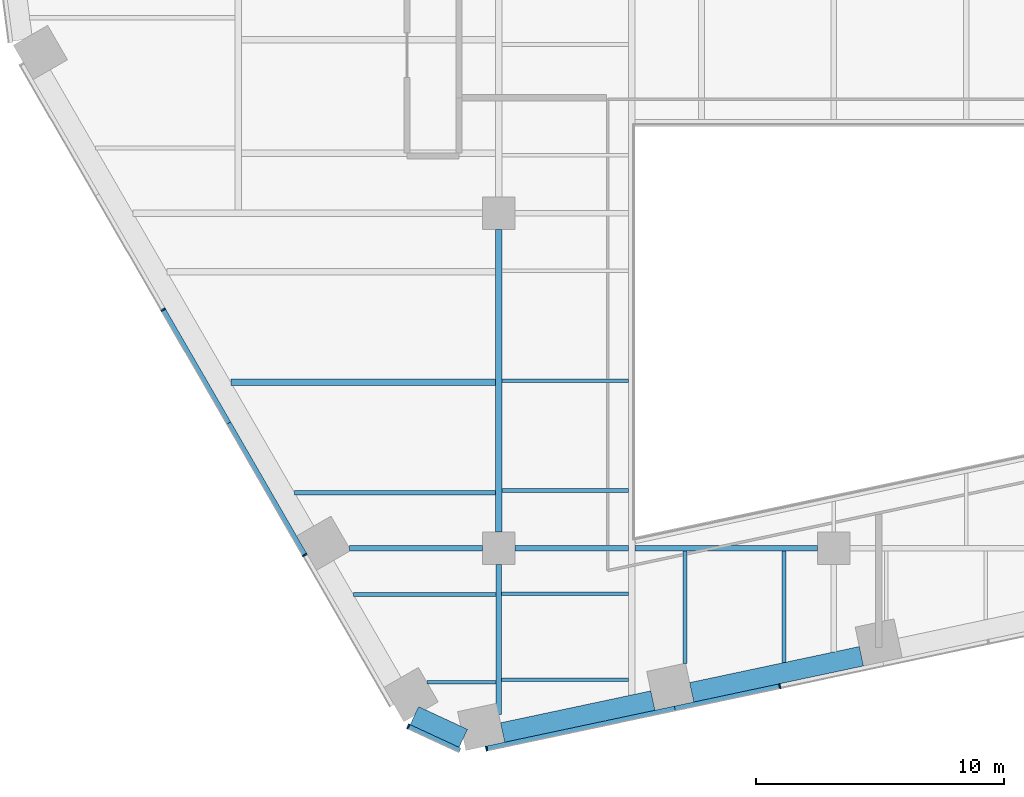
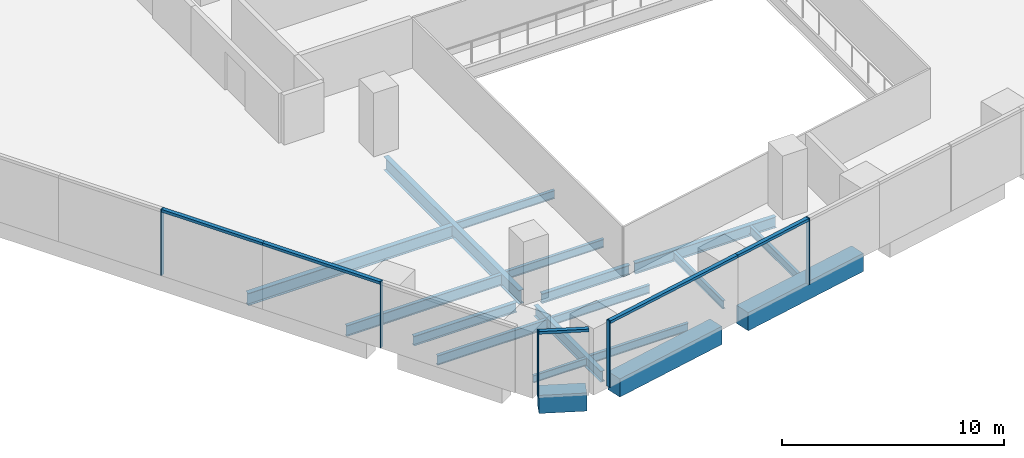
# One storey, part 2 of 19: 18 beams, 10 members, 3 elements without a shape of their own.
"""IFC4 building model written with IfcOpenShell, lengths in metres."""

from ifc_helpers import new_model, si_unit, direction, frame, origin, origin_2d, place, context, subcontext, project, spatial, rectangle, i_section, extrude, material, layer, layer_set, material_profile, profile_set, type_object, element, aggregate, save


model = new_model("IFC4")

# Units and contexts
model_context = context("Model", 3, precision=1e-05, world=origin(), true_north=direction((0.0, 1.0)))
body_context = subcontext(model_context, "Body", "Model", "MODEL_VIEW")
ifc_project = project(units=[si_unit("LENGTHUNIT", "METRE"), si_unit("AREAUNIT", "SQUARE_METRE"), si_unit("VOLUMEUNIT", "CUBIC_METRE"), si_unit("PLANEANGLEUNIT", "RADIAN"), si_unit("MASSUNIT", "GRAM", prefix="KILO")], contexts=[model_context])

# Site, building, storey
site_placement = place(None, origin())
site = spatial("IfcSite", under=ifc_project, at=site_placement, CompositionType="ELEMENT")
building_placement = place(site_placement, origin())
building = spatial("IfcBuilding", under=site, at=building_placement, Name="Isthmus Gate Tower", CompositionType="ELEMENT")
storey_placement = place(building_placement, frame((0.0, 0.0, 91.60009765625)))
storey = spatial("IfcBuildingStorey", under=building, at=storey_placement, Name="L21", CompositionType="ELEMENT", Elevation=91.60009765625)

# Curtain wall, members
ifc_material_1 = material(Name="Aluminium, pale champagne anodised", Category="aluminium")
ifc_layer = layer(ifc_material_1, 0.199951171875)
ifc_layer_set = layer_set([ifc_layer], Name="CW-1 UNITISED CURTAIN WALL 200 DEEP")
curtain_wall_type = type_object("IfcCurtainWallType", Name="CW-1 UNITISED CURTAIN WALL 200 DEEP", PredefinedType="NOTDEFINED", material=ifc_layer_set)
curtain_wall_1_placement = place(storey_placement, origin())
curtain_wall_1 = element("IfcCurtainWall", 1, at=curtain_wall_1_placement, inside=storey, type_object=curtain_wall_type, Name="CW-1 SW L21", PredefinedType="NOTDEFINED")
ifc_material_2 = material(Name="Aluminium, pale champagne anodised", Category="aluminium")
ifc_material_profile_1 = material_profile(ifc_material_2, rectangle(XDim=0.06005859375, YDim=0.199951171875, at=origin_2d()), Name="60x200")
ifc_profile_set_1 = profile_set([ifc_material_profile_1], Name="Aluminium, pale champagne anodised")
member_type_1 = type_object("IfcMemberType", Name="CW-1 MULLION 60 X 200", PredefinedType="MULLION", material=ifc_profile_set_1)
member_1_placement = place(storey_placement, frame((-27.026611328125, -17.388427734375, 0.0), z_axis=(0.0, 0.0, 1.0), x_axis=(0.5, -0.866025403784, 0.0)))
member_1 = element("IfcMember", 2, at=member_1_placement, type_object=member_type_1, Name="CW-1 mullion", PredefinedType="MULLION", context=body_context, shape_type="SweptSolid", body=[
    extrude(rectangle(XDim=0.06005859375, YDim=0.199951171875, at=origin_2d()), origin(), (0.0, 0.0, 1.0), 3.64990234375),
])
member_2_placement = place(storey_placement, frame((-21.318115234375, -27.27587890625, 0.0), z_axis=(0.0, 0.0, 1.0), x_axis=(0.5, -0.866025403784, 0.0)))
member_2 = element("IfcMember", 3, at=member_2_placement, type_object=member_type_1, Name="CW-1 mullion", PredefinedType="MULLION", context=body_context, shape_type="SweptSolid", body=[
    extrude(rectangle(XDim=0.06005859375, YDim=0.199951171875, at=origin_2d()), origin(), (0.0, 0.0, 1.0), 3.64990234375),
])

# Curtain wall, member
curtain_wall_2_placement = place(storey_placement, origin())
curtain_wall_2 = element("IfcCurtainWall", 4, at=curtain_wall_2_placement, inside=storey, type_object=curtain_wall_type, Name="CW-1 SW-S L21", PredefinedType="NOTDEFINED")
member_3_placement = place(storey_placement, frame((-17.14794921875, -34.184814453125, 0.0), z_axis=(0.0, 0.0, 1.0), x_axis=(0.907256261367, -0.420578264073, 0.0)))
member_3 = element("IfcMember", 5, at=member_3_placement, type_object=member_type_1, Name="CW-1 mullion", PredefinedType="MULLION", context=body_context, shape_type="SweptSolid", body=[
    extrude(rectangle(XDim=0.06005859375, YDim=0.199951171875, at=origin_2d()), origin(), (0.0, 0.0, 1.0), 3.64990234375),
])

# Curtain wall, members
curtain_wall_3_placement = place(storey_placement, origin())
curtain_wall_3 = element("IfcCurtainWall", 6, at=curtain_wall_3_placement, inside=storey, type_object=curtain_wall_type, Name="CW-1 S L21", PredefinedType="NOTDEFINED")
member_4_placement = place(storey_placement, frame((-13.992919921875, -35.076416015625, 0.0), z_axis=(0.0, 0.0, 1.0), x_axis=(0.978147600734, 0.207911690818, 0.0)))
member_4 = element("IfcMember", 7, at=member_4_placement, type_object=member_type_1, Name="CW-1 mullion", PredefinedType="MULLION", context=body_context, shape_type="SweptSolid", body=[
    extrude(rectangle(XDim=0.06005859375, YDim=0.199951171875, at=origin_2d()), origin(), (0.0, 0.0, 1.0), 3.64990234375),
])
member_5_placement = place(storey_placement, frame((-2.1728515625, -32.564208984375, 0.0), z_axis=(0.0, 0.0, 1.0), x_axis=(0.978147600734, 0.207911690818, 0.0)))
member_5 = element("IfcMember", 8, at=member_5_placement, type_object=member_type_1, Name="CW-1 mullion", PredefinedType="MULLION", context=body_context, shape_type="SweptSolid", body=[
    extrude(rectangle(XDim=0.06005859375, YDim=0.199951171875, at=origin_2d()), origin(), (0.0, 0.0, 1.0), 3.64990234375),
])

# Member
ifc_material_3 = material(Name="Aluminium, pale champagne anodised", Category="aluminium")
ifc_material_profile_2 = material_profile(ifc_material_3, rectangle(XDim=0.199951171875, YDim=0.14990234375, at=origin_2d()), Name="200x150")
ifc_profile_set_2 = profile_set([ifc_material_profile_2], Name="Aluminium, pale champagne anodised")
member_type_2 = type_object("IfcMemberType", Name="CW-1 TRANSOM 200 X 150", PredefinedType="USERDEFINED", material=ifc_profile_set_2)
member_6_placement = place(storey_placement, frame((-27.01171875, -17.414306640625, 3.574951171875), z_axis=(0.499996256241, -0.866027565234, 0.0), x_axis=(0.866027565234, 0.499996256241, 0.0)))
member_6 = element("IfcMember", 9, at=member_6_placement, type_object=member_type_2, Name="CW-1 transom", ObjectType="TRANSOM", PredefinedType="USERDEFINED", context=body_context, shape_type="SweptSolid", body=[
    extrude(rectangle(XDim=0.199951171875, YDim=0.14990234375, at=origin_2d()), origin(), (0.0, 0.0, 1.0), 5.24853515625),
])

member_7_placement = place(storey_placement, frame((-24.387451171875, -21.959716796875, 3.574951171875), z_axis=(0.500011900272, -0.86601853305, 0.0), x_axis=(0.86601853305, 0.500011900272, 0.0)))
member_7 = element("IfcMember", 10, at=member_7_placement, type_object=member_type_2, Name="CW-1 transom", ObjectType="TRANSOM", PredefinedType="USERDEFINED", context=body_context, shape_type="SweptSolid", body=[
    extrude(rectangle(XDim=0.199951171875, YDim=0.14990234375, at=origin_2d()), origin(), (0.0, 0.0, 1.0), 6.108642578125),
])

aggregate(curtain_wall_1, [member_1, member_6, member_7, member_2])

member_8_placement = place(storey_placement, frame((-17.120849609375, -34.197509765625, 3.574951171875), z_axis=(0.907246225564, -0.420599912268, 0.0), x_axis=(0.420599912268, 0.907246225564, 0.0)))
member_8 = element("IfcMember", 11, at=member_8_placement, type_object=member_type_2, Name="CW-1 transom", ObjectType="TRANSOM", PredefinedType="USERDEFINED", context=body_context, shape_type="SweptSolid", body=[
    extrude(rectangle(XDim=0.199951171875, YDim=0.14990234375, at=origin_2d()), origin(), (0.0, 0.0, 1.0), 2.258544921875),
])

aggregate(curtain_wall_2, [member_3, member_8])

member_9_placement = place(storey_placement, frame((-13.963623046875, -35.0703125, 3.574951171875), z_axis=(0.97815050153, 0.207898043176, 0.0), x_axis=(-0.207898043176, 0.97815050153, 0.0)))
member_9 = element("IfcMember", 12, at=member_9_placement, type_object=member_type_2, Name="CW-1 transom", ObjectType="TRANSOM", PredefinedType="USERDEFINED", context=body_context, shape_type="SweptSolid", body=[
    extrude(rectangle(XDim=0.199951171875, YDim=0.14990234375, at=origin_2d()), origin(), (0.0, 0.0, 1.0), 7.7294921875),
])

member_10_placement = place(storey_placement, frame((-6.403076171875, -33.46337890625, 3.574951171875), z_axis=(0.97813890815, 0.207952582007, 0.0), x_axis=(-0.207952582007, 0.97813890815, 0.0)))
member_10 = element("IfcMember", 13, at=member_10_placement, type_object=member_type_2, Name="CW-1 transom", ObjectType="TRANSOM", PredefinedType="USERDEFINED", context=body_context, shape_type="SweptSolid", body=[
    extrude(rectangle(XDim=0.199951171875, YDim=0.14990234375, at=origin_2d()), origin(), (0.0, 0.0, 1.0), 4.294677734375),
])

aggregate(curtain_wall_3, [member_4, member_9, member_10, member_5])

# Beams
ifc_material_4 = material(Name="Concrete f'c 70 MPa", Category="concrete")
ifc_material_profile_3 = material_profile(ifc_material_4, rectangle(XDim=0.800048828125, YDim=1.0, at=origin_2d()), Name="RC 800X1000")
ifc_profile_set_3 = profile_set([ifc_material_profile_3], Name="Concrete f'c 70 MPa")
beam_type_1 = type_object("IfcBeamType", Name="RC SPANDREL 800 X 1000", PredefinedType="SPANDREL", material=ifc_profile_set_3)
beam_1_placement = place(storey_placement, frame((1.112060546875, -31.354736328125, -0.5), z_axis=(-0.978149173437, -0.207904291694, 0.0), x_axis=(0.207904291694, -0.978149173437, 0.0)))
element("IfcBeam", 14, at=beam_1_placement, inside=storey, type_object=beam_type_1, Name="str-spandrel-L21-12", PredefinedType="SPANDREL", context=body_context, shape_type="SweptSolid", body=[
    extrude(rectangle(XDim=0.800048828125, YDim=1.0, at=origin_2d()), origin(), (0.0, 0.0, 1.0), 6.989501953125),
])
beam_2_placement = place(storey_placement, frame((-7.28955078125, -33.140625, -0.5), z_axis=(-0.978155442329, -0.207874795591, 0.0), x_axis=(0.207874795591, -0.978155442329, 0.0)))
element("IfcBeam", 15, at=beam_2_placement, inside=storey, type_object=beam_type_1, Name="str-spandrel-L21-13", PredefinedType="SPANDREL", context=body_context, shape_type="SweptSolid", body=[
    extrude(rectangle(XDim=0.800048828125, YDim=1.0, at=origin_2d()), origin(), (0.0, 0.0, 1.0), 6.189453125),
])
beam_3_placement = place(storey_placement, frame((-14.929443359375, -34.662109375, -0.5), z_axis=(-0.907290744498, 0.420503870314, 0.0), x_axis=(-0.420503870314, -0.907290744498, 0.0)))
element("IfcBeam", 16, at=beam_3_placement, inside=storey, type_object=beam_type_1, Name="str-spandrel-L21-14", PredefinedType="SPANDREL", context=body_context, shape_type="SweptSolid", body=[
    extrude(rectangle(XDim=0.800048828125, YDim=1.0, at=origin_2d()), origin(), (0.0, 0.0, 1.0), 2.173095703125),
])
ifc_material_5 = material(Name="Structural steel ASTM A992 Gr 50", Category="steel")
ifc_material_profile_4 = material_profile(ifc_material_5, i_section(OverallWidth=0.1396484375, OverallDepth=0.4033203125, WebThickness=0.00634765625, FlangeThickness=0.010986328125, at=origin_2d()), Name="W16X31")
ifc_profile_set_4 = profile_set([ifc_material_profile_4], Name="Structural steel ASTM A992 Gr 50")
beam_type_2 = type_object("IfcBeamType", Name="STEEL FLOOR BEAM W16X31", PredefinedType="JOIST", material=ifc_profile_set_4)
beam_4_placement = place(storey_placement, frame((-16.393310546875, -32.406005859375, -0.351806640625), z_axis=(1.0, 0.0, 0.0), x_axis=(0.0, 1.0, 0.0)))
element("IfcBeam", 17, at=beam_4_placement, inside=storey, type_object=beam_type_2, Name="str-beam-L21-10-00", PredefinedType="JOIST", context=body_context, shape_type="SweptSolid", body=[
    extrude(i_section(OverallWidth=0.1396484375, OverallDepth=0.4033203125, WebThickness=0.00634765625, FlangeThickness=0.010986328125, at=origin_2d()), origin(), (0.0, 0.0, 1.0), 2.779052734375),
])
ifc_material_6 = material(Name="Structural steel ASTM A992 Gr 50", Category="steel")
ifc_material_profile_5 = material_profile(ifc_material_6, i_section(OverallWidth=0.15234375, OverallDepth=0.45068359375, WebThickness=0.0078125, FlangeThickness=0.010986328125, at=origin_2d()), Name="W18X35")
ifc_profile_set_5 = profile_set([ifc_material_profile_5], Name="Structural steel ASTM A992 Gr 50")
beam_type_3 = type_object("IfcBeamType", Name="STEEL FLOOR BEAM W18X35", PredefinedType="JOIST", material=ifc_profile_set_5)
for number, where, z_axis, x_axis, name in (
    (18, (-13.3857421875, -32.30322265625, -0.37548828125), (1.0, 0.0, 0.0), (0.0, 1.0, 0.0), "str-beam-L21-11-00"),
    (19, (-13.3857421875, -28.837646484375, -0.37548828125), (1.0, 0.0, 0.0), (0.0, 1.0, 0.0), "str-beam-L21-11-01"),
):
    element("IfcBeam", number, at=place(storey_placement, frame(where, z_axis=z_axis, x_axis=x_axis)), inside=storey, type_object=beam_type_3, Name=name, PredefinedType="JOIST", context=body_context, shape_type="SweptSolid", body=[
        extrude(i_section(OverallWidth=0.15234375, OverallDepth=0.45068359375, WebThickness=0.0078125, FlangeThickness=0.010986328125, at=origin_2d()), origin(), (0.0, 0.0, 1.0), 5.119140625),
    ])
for number, where, z_axis, x_axis, name in (
    (20, (-13.3681640625, -24.68017578125, -0.37548828125), (1.0, 0.0, 0.0), (0.0, 1.0, 0.0), "str-beam-L21-13-00"),
    (21, (-13.3681640625, -20.25, -0.37548828125), (1.0, 0.0, 0.0), (0.0, 1.0, 0.0), "str-beam-L21-13-01"),
):
    element("IfcBeam", number, at=place(storey_placement, frame(where, z_axis=z_axis, x_axis=x_axis)), inside=storey, type_object=beam_type_3, Name=name, PredefinedType="JOIST", context=body_context, shape_type="SweptSolid", body=[
        extrude(i_section(OverallWidth=0.15234375, OverallDepth=0.45068359375, WebThickness=0.0078125, FlangeThickness=0.010986328125, at=origin_2d()), origin(), (0.0, 0.0, 1.0), 5.1015625),
    ])
beam_5_placement = place(storey_placement, frame((-6.0, -31.6396484375, -0.37548828125), z_axis=(0.0, 1.0, 0.0), x_axis=(-1.0, 0.0, 0.0)))
element("IfcBeam", 22, at=beam_5_placement, inside=storey, type_object=beam_type_3, Name="str-beam-L21-16-00", PredefinedType="JOIST", context=body_context, shape_type="SweptSolid", body=[
    extrude(i_section(OverallWidth=0.15234375, OverallDepth=0.45068359375, WebThickness=0.0078125, FlangeThickness=0.010986328125, at=origin_2d()), origin(), (0.0, 0.0, 1.0), 4.525390625),
])
beam_6_placement = place(storey_placement, frame((-2.0, -31.607177734375, -0.37548828125), z_axis=(0.0, 1.0, 0.0), x_axis=(-1.0, 0.0, 0.0)))
element("IfcBeam", 23, at=beam_6_placement, inside=storey, type_object=beam_type_3, Name="str-beam-L21-16-01", PredefinedType="JOIST", context=body_context, shape_type="SweptSolid", body=[
    extrude(i_section(OverallWidth=0.15234375, OverallDepth=0.45068359375, WebThickness=0.0078125, FlangeThickness=0.010986328125, at=origin_2d()), origin(), (0.0, 0.0, 1.0), 4.492919921875),
])
ifc_material_7 = material(Name="Structural steel ASTM A992 Gr 50", Category="steel")
ifc_material_profile_6 = material_profile(ifc_material_7, i_section(OverallWidth=0.1650390625, OverallDepth=0.52392578125, WebThickness=0.009521484375, FlangeThickness=0.010986328125, at=origin_2d()), Name="W21X44")
ifc_profile_set_6 = profile_set([ifc_material_profile_6], Name="Structural steel ASTM A992 Gr 50")
beam_type_4 = type_object("IfcBeamType", Name="STEEL FLOOR BEAM W21X44", PredefinedType="JOIST", material=ifc_profile_set_6)
beam_7_placement = place(storey_placement, frame((-19.357421875, -28.871826171875, -0.412109375), z_axis=(1.0, 0.0, 0.0), x_axis=(0.0, 1.0, 0.0)))
element("IfcBeam", 24, at=beam_7_placement, inside=storey, type_object=beam_type_4, Name="str-beam-L21-10-01", PredefinedType="JOIST", context=body_context, shape_type="SweptSolid", body=[
    extrude(i_section(OverallWidth=0.1650390625, OverallDepth=0.52392578125, WebThickness=0.009521484375, FlangeThickness=0.010986328125, at=origin_2d()), origin(), (0.0, 0.0, 1.0), 5.7431640625),
])
ifc_material_8 = material(Name="Structural steel ASTM A992 Gr 50", Category="steel")
ifc_material_profile_7 = material_profile(ifc_material_8, i_section(OverallWidth=0.177734375, OverallDepth=0.60009765625, WebThickness=0.009521484375, FlangeThickness=0.0126953125, at=origin_2d()), Name="W24X55")
ifc_profile_set_7 = profile_set([ifc_material_profile_7], Name="Structural steel ASTM A992 Gr 50")
beam_type_5 = type_object("IfcBeamType", Name="STEEL FLOOR BEAM W24X55", PredefinedType="JOIST", material=ifc_profile_set_7)
beam_8_placement = place(storey_placement, frame((-21.724365234375, -24.772216796875, -0.4501953125), z_axis=(1.0, 0.0, 0.0), x_axis=(0.0, 1.0, 0.0)))
element("IfcBeam", 25, at=beam_8_placement, inside=storey, type_object=beam_type_5, Name="str-beam-L21-06-00", PredefinedType="JOIST", context=body_context, shape_type="SweptSolid", body=[
    extrude(i_section(OverallWidth=0.177734375, OverallDepth=0.60009765625, WebThickness=0.009521484375, FlangeThickness=0.0126953125, at=origin_2d()), origin(), (0.0, 0.0, 1.0), 8.092529296875),
])
ifc_material_9 = material(Name="Structural steel ASTM A992 Gr 50", Category="steel")
ifc_material_profile_8 = material_profile(ifc_material_9, i_section(OverallWidth=0.25390625, OverallDepth=0.679443359375, WebThickness=0.010986328125, FlangeThickness=0.015869140625, at=origin_2d()), Name="W27X84")
ifc_profile_set_8 = profile_set([ifc_material_profile_8], Name="Structural steel ASTM A992 Gr 50")
beam_type_6 = type_object("IfcBeamType", Name="STEEL FLOOR BEAM W27X84", PredefinedType="JOIST", material=ifc_profile_set_8)
beam_9_placement = place(storey_placement, frame((-24.296875, -20.316650390625, -0.48974609375), z_axis=(1.0, 0.0, 0.0), x_axis=(0.0, 1.0, 0.0)))
element("IfcBeam", 26, at=beam_9_placement, inside=storey, type_object=beam_type_6, Name="str-beam-L21-06-01", PredefinedType="JOIST", context=body_context, shape_type="SweptSolid", body=[
    extrude(i_section(OverallWidth=0.25390625, OverallDepth=0.679443359375, WebThickness=0.010986328125, FlangeThickness=0.015869140625, at=origin_2d()), origin(), (0.0, 0.0, 1.0), 10.6650390625),
])
ifc_material_10 = material(Name="Structural steel ASTM A992 Gr 50", Category="steel")
ifc_material_profile_9 = material_profile(ifc_material_10, i_section(OverallWidth=0.20947265625, OverallDepth=0.533447265625, WebThickness=0.009521484375, FlangeThickness=0.015869140625, at=origin_2d()), Name="W21X62")
ifc_profile_set_9 = profile_set([ifc_material_profile_9], Name="Structural steel ASTM A992 Gr 50")
beam_type_7 = type_object("IfcBeamType", Name="STEEL GIRDER W21X62", PredefinedType="BEAM", material=ifc_profile_set_9)
beam_10_placement = place(storey_placement, frame((-19.514404296875, -27.0, -0.416748046875), z_axis=(1.0, 0.0, 0.0), x_axis=(0.0, 1.0, 0.0)))
element("IfcBeam", 27, at=beam_10_placement, inside=storey, type_object=beam_type_7, Name="str-girder-L21-01", PredefinedType="BEAM", context=body_context, shape_type="SweptSolid", body=[
    extrude(i_section(OverallWidth=0.20947265625, OverallDepth=0.533447265625, WebThickness=0.009521484375, FlangeThickness=0.015869140625, at=origin_2d()), origin(), (0.0, 0.0, 1.0), 5.364501953125),
])
beam_11_placement = place(storey_placement, frame((-12.85009765625, -27.0, -0.416748046875), z_axis=(1.0, 0.0, 0.0), x_axis=(0.0, 1.0, 0.0)))
element("IfcBeam", 28, at=beam_11_placement, inside=storey, type_object=beam_type_7, Name="str-girder-L21-02", PredefinedType="BEAM", context=body_context, shape_type="SweptSolid", body=[
    extrude(i_section(OverallWidth=0.20947265625, OverallDepth=0.533447265625, WebThickness=0.009521484375, FlangeThickness=0.015869140625, at=origin_2d()), origin(), (0.0, 0.0, 1.0), 4.58349609375),
])
ifc_material_11 = material(Name="Structural steel ASTM A992 Gr 50", Category="steel")
ifc_material_profile_10 = material_profile(ifc_material_11, i_section(OverallWidth=0.228515625, OverallDepth=0.603271484375, WebThickness=0.010986328125, FlangeThickness=0.014404296875, at=origin_2d()), Name="W24X68")
ifc_profile_set_10 = profile_set([ifc_material_profile_10], Name="Structural steel ASTM A992 Gr 50")
beam_type_8 = type_object("IfcBeamType", Name="STEEL GIRDER W24X68", PredefinedType="BEAM", material=ifc_profile_set_10)
beam_12_placement = place(storey_placement, frame((-8.0, -27.0, -0.45166015625), z_axis=(1.0, 0.0, 0.0), x_axis=(0.0, 1.0, 0.0)))
element("IfcBeam", 29, at=beam_12_placement, inside=storey, type_object=beam_type_8, Name="str-girder-L21-03", PredefinedType="BEAM", context=body_context, shape_type="SweptSolid", body=[
    extrude(i_section(OverallWidth=0.228515625, OverallDepth=0.603271484375, WebThickness=0.010986328125, FlangeThickness=0.014404296875, at=origin_2d()), origin(), (0.0, 0.0, 1.0), 7.35009765625),
])
beam_13_placement = place(storey_placement, frame((-13.5, -33.69189453125, -0.45166015625), z_axis=(0.0, 1.0, 0.0), x_axis=(-1.0, 0.0, 0.0)))
element("IfcBeam", 30, at=beam_13_placement, inside=storey, type_object=beam_type_8, Name="str-girder-L21-24", PredefinedType="BEAM", context=body_context, shape_type="SweptSolid", body=[
    extrude(i_section(OverallWidth=0.228515625, OverallDepth=0.603271484375, WebThickness=0.010986328125, FlangeThickness=0.014404296875, at=origin_2d()), origin(), (0.0, 0.0, 1.0), 6.0419921875),
])
ifc_material_12 = material(Name="Structural steel ASTM A992 Gr 50", Category="steel")
ifc_material_profile_11 = material_profile(ifc_material_12, i_section(OverallWidth=0.263427734375, OverallDepth=0.749267578125, WebThickness=0.0126953125, FlangeThickness=0.015869140625, at=origin_2d()), Name="W30X90")
ifc_profile_set_11 = profile_set([ifc_material_profile_11], Name="Structural steel ASTM A992 Gr 50")
beam_type_9 = type_object("IfcBeamType", Name="STEEL GIRDER W30X90", PredefinedType="BEAM", material=ifc_profile_set_11)
beam_14_placement = place(storey_placement, frame((-13.5, -26.35009765625, -0.524658203125), z_axis=(0.0, 1.0, 0.0), x_axis=(-1.0, 0.0, 0.0)))
element("IfcBeam", 31, at=beam_14_placement, inside=storey, type_object=beam_type_9, Name="str-girder-L21-25", PredefinedType="BEAM", context=body_context, shape_type="SweptSolid", body=[
    extrude(i_section(OverallWidth=0.263427734375, OverallDepth=0.749267578125, WebThickness=0.0126953125, FlangeThickness=0.015869140625, at=origin_2d()), origin(), (0.0, 0.0, 1.0), 12.2001953125),
])

save(model, "model.ifc")
